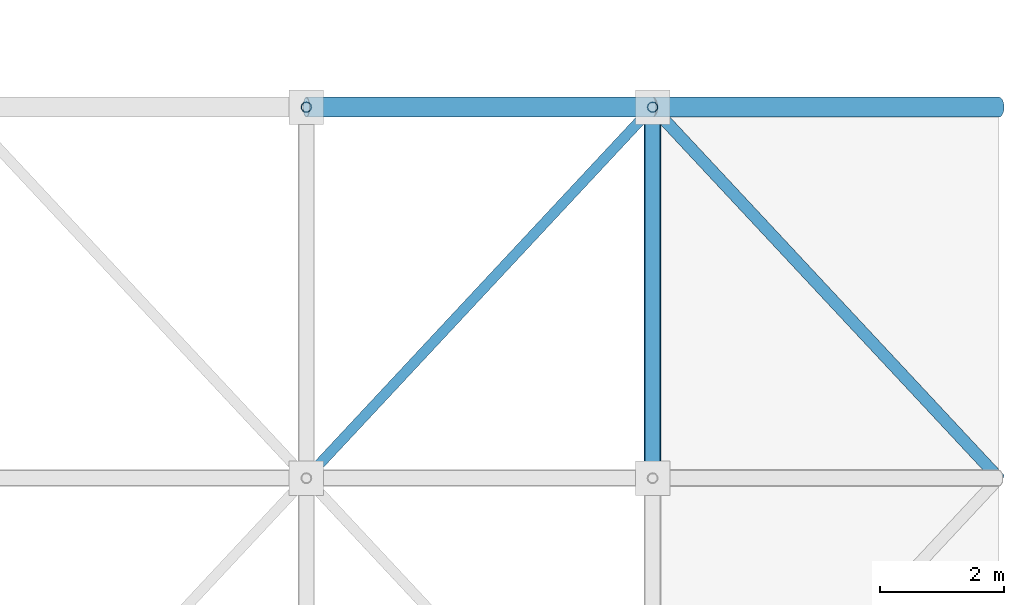
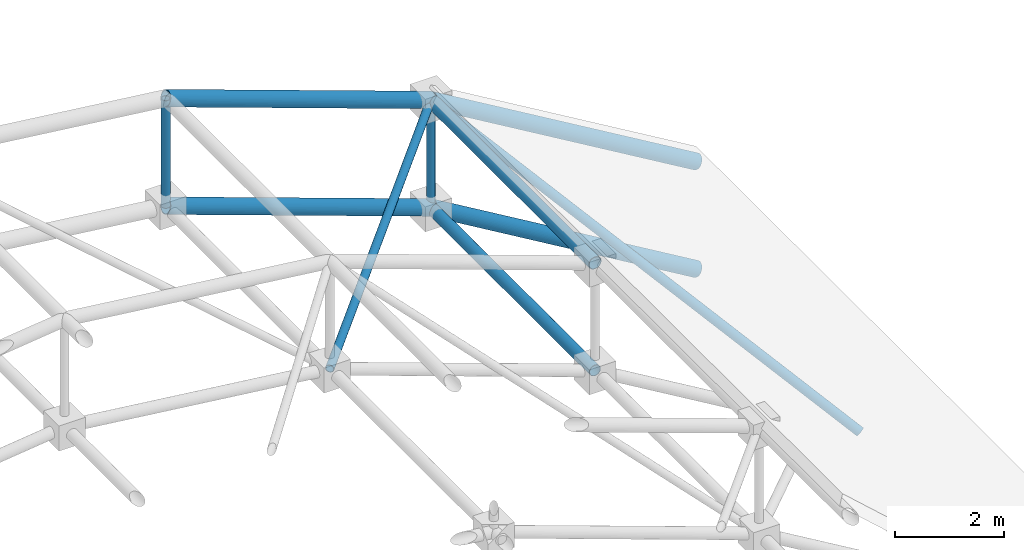
# One storey, part 94 of 140: 10 members.
"""IFC4 building model written with IfcOpenShell, lengths in metres."""

from ifc_helpers import new_model, si_unit, direction, frame, origin, origin_2d, place, context, subcontext, project, spatial, hollow_circle, extrude, material, material_profile, profile_set, type_object, element, save


model = new_model("IFC4")

# Units and contexts
model_context = context("Model", 3, precision=1e-05, world=origin(), true_north=direction((0.0, 1.0)))
body_context = subcontext(model_context, "Body", "Model", "MODEL_VIEW")
ifc_project = project(units=[si_unit("LENGTHUNIT", "METRE"), si_unit("AREAUNIT", "SQUARE_METRE"), si_unit("VOLUMEUNIT", "CUBIC_METRE"), si_unit("PLANEANGLEUNIT", "RADIAN"), si_unit("MASSUNIT", "GRAM", prefix="KILO")], contexts=[model_context])

# Site, building, storey
site_placement = place(None, origin())
site = spatial("IfcSite", under=ifc_project, at=site_placement, CompositionType="ELEMENT")
building_placement = place(site_placement, origin())
building = spatial("IfcBuilding", under=site, at=building_placement, Name="Trelvath General Hospital", CompositionType="ELEMENT")
storey_placement = place(building_placement, frame((0.0, 0.0, 16.199951171875)))
storey = spatial("IfcBuildingStorey", under=building, at=storey_placement, Name="L04", CompositionType="ELEMENT", Elevation=16.199951171875)

# Members
ifc_material_1 = material(Name="Steel S355", Category="steel")
ifc_material_profile_1 = material_profile(ifc_material_1, hollow_circle(Radius=0.122314453125, WallThickness=0.010009765625, at=origin_2d()), Name="CHS244.5x10.0")
ifc_profile_set_1 = profile_set([ifc_material_profile_1], Name="Steel S355")
member_type_1 = type_object("IfcMemberType", Name="SpaceFrameBottomChord CHS244", PredefinedType="CHORD", material=ifc_profile_set_1)
member_1_placement = place(storey_placement, frame((170.800048828125, 61.199951171875, 0.033447265625), z_axis=(0.0, 1.0, 0.0), x_axis=(-1.0, 0.0, 0.0)))
element("IfcMember", 1, at=member_1_placement, inside=storey, type_object=member_type_1, Name="Space Frame Bottom Chord Y 6-7", PredefinedType="CHORD", context=body_context, shape_type="SweptSolid", body=[
    extrude(hollow_circle(Radius=0.122314453125, WallThickness=0.010009765625, at=origin_2d()), origin(), (0.0, 0.0, 1.0), 6.0),
])
ifc_material_2 = material(Name="Steel S355", Category="steel")
ifc_material_profile_2 = material_profile(ifc_material_2, hollow_circle(Radius=0.096923828125, WallThickness=0.008056640625, at=origin_2d()), Name="CHS193.7x8.0")
ifc_profile_set_2 = profile_set([ifc_material_profile_2], Name="Steel S355")
member_type_2 = type_object("IfcMemberType", Name="SpaceFrameDiagHeavy CHS193", PredefinedType="BRACE", material=ifc_profile_set_2)
member_2_placement = place(storey_placement, frame((176.39990234375, 61.199951171875, -3.300048828125), z_axis=(-0.559341871551, 0.599310539095, 0.572681018071), x_axis=(-0.731064171106, -0.682308711453, 0.0)))
element("IfcMember", 2, at=member_2_placement, inside=storey, type_object=member_type_2, Name="Space Frame Web Diagonal B 6-7", PredefinedType="BRACE", context=body_context, shape_type="SweptSolid", body=[
    extrude(hollow_circle(Radius=0.096923828125, WallThickness=0.008056640625, at=origin_2d()), origin(), (0.0, 0.0, 1.0), 10.011474609375),
])
ifc_material_3 = material(Name="Steel S355", Category="steel")
ifc_material_profile_3 = material_profile(ifc_material_3, hollow_circle(Radius=0.084228515625, WallThickness=0.008056640625, at=origin_2d()), Name="CHS168.3x8.0")
ifc_profile_set_3 = profile_set([ifc_material_profile_3], Name="Steel S355")
member_type_3 = type_object("IfcMemberType", Name="SpaceFrameDiagStd CHS168", PredefinedType="BRACE", material=ifc_profile_set_3)
member_3_placement = place(storey_placement, frame((165.199951171875, 61.199951171875, 2.033447265625), z_axis=(0.681516095791, 0.730183083536, 0.048666987745), x_axis=(-0.731049333052, 0.682324609438, 0.0)))
element("IfcMember", 3, at=member_3_placement, inside=storey, type_object=member_type_3, Name="Space Frame Web Diagonal A 5-7", PredefinedType="BRACE", context=body_context, shape_type="SweptSolid", body=[
    extrude(hollow_circle(Radius=0.084228515625, WallThickness=0.008056640625, at=origin_2d()), origin(), (0.0, 0.0, 1.0), 8.217041015625),
])
for number, where, z_axis, x_axis, name in (
    (4, (165.199951171875, 67.199951171875, 2.033447265625), (0.0, 0.0, 1.0), (1.0, 0.0, 0.0), "Space Frame Web Post 5-8"),
    (5, (170.800048828125, 67.199951171875, 0.033447265625), (0.0, 0.0, 1.0), (1.0, 0.0, 0.0), "Space Frame Web Post 6-8"),
):
    element("IfcMember", number, at=place(storey_placement, frame(where, z_axis=z_axis, x_axis=x_axis)), inside=storey, type_object=member_type_3, Name=name, PredefinedType="BRACE", context=body_context, shape_type="SweptSolid", body=[
        extrude(hollow_circle(Radius=0.084228515625, WallThickness=0.008056640625, at=origin_2d()), origin(), (0.0, 0.0, 1.0), 2.39990234375),
    ])
ifc_material_4 = material(Name="Steel S355", Category="steel")
ifc_material_profile_4 = material_profile(ifc_material_4, hollow_circle(Radius=0.161865234375, WallThickness=0.012451171875, at=origin_2d()), Name="CHS323.9x12.5")
ifc_profile_set_4 = profile_set([ifc_material_profile_4], Name="Steel S355")
member_type_4 = type_object("IfcMemberType", Name="SpaceFrameEdgeChord CHS323", PredefinedType="CHORD", material=ifc_profile_set_4)
for number, where, z_axis, x_axis, name in (
    (6, (165.199951171875, 67.199951171875, 2.033447265625), (0.94174376932, 0.0, -0.336331195321), (0.0, 1.0, 0.0), "Space Frame Bottom Chord X 5-8"),
    (7, (165.199951171875, 67.199951171875, 4.433349609375), (0.94174376932, 0.0, -0.336331195321), (0.0, 1.0, 0.0), "Space Frame Top Chord X 5-8"),
):
    element("IfcMember", number, at=place(storey_placement, frame(where, z_axis=z_axis, x_axis=x_axis)), inside=storey, type_object=member_type_4, Name=name, PredefinedType="CHORD", context=body_context, shape_type="SweptSolid", body=[
        extrude(hollow_circle(Radius=0.161865234375, WallThickness=0.012451171875, at=origin_2d()), origin(), (0.0, 0.0, 1.0), 5.946533203125),
    ])
for number, where, z_axis, x_axis, name in (
    (8, (170.800048828125, 67.199951171875, 0.033447265625), (0.859276026628, 0.0, -0.511512179779), (0.0, 1.0, 0.0), "Space Frame Bottom Chord X 6-8"),
    (9, (170.800048828125, 67.199951171875, 2.433349609375), (0.859292492371, 0.0, -0.511484518392), (0.0, 1.0, 0.0), "Space Frame Top Chord X 6-8"),
):
    element("IfcMember", number, at=place(storey_placement, frame(where, z_axis=z_axis, x_axis=x_axis)), inside=storey, type_object=member_type_4, Name=name, PredefinedType="CHORD", context=body_context, shape_type="SweptSolid", body=[
        extrude(hollow_circle(Radius=0.161865234375, WallThickness=0.012451171875, at=origin_2d()), origin(), (0.0, 0.0, 1.0), 6.516845703125),
    ])
ifc_material_5 = material(Name="Steel S355", Category="steel")
ifc_material_profile_5 = material_profile(ifc_material_5, hollow_circle(Radius=0.136474609375, WallThickness=0.012451171875, at=origin_2d()), Name="CHS273.0x12.5")
ifc_profile_set_5 = profile_set([ifc_material_profile_5], Name="Steel S355")
member_type_5 = type_object("IfcMemberType", Name="SpaceFrameTopChord CHS273", PredefinedType="CHORD", material=ifc_profile_set_5)
member_4_placement = place(storey_placement, frame((170.800048828125, 61.199951171875, 2.433349609375), z_axis=(0.0, 1.0, 0.0), x_axis=(-1.0, 0.0, 0.0)))
element("IfcMember", 10, at=member_4_placement, inside=storey, type_object=member_type_5, Name="Space Frame Top Chord Y 6-7", PredefinedType="CHORD", context=body_context, shape_type="SweptSolid", body=[
    extrude(hollow_circle(Radius=0.136474609375, WallThickness=0.012451171875, at=origin_2d()), origin(), (0.0, 0.0, 1.0), 6.0),
])

save(model, "model.ifc")
